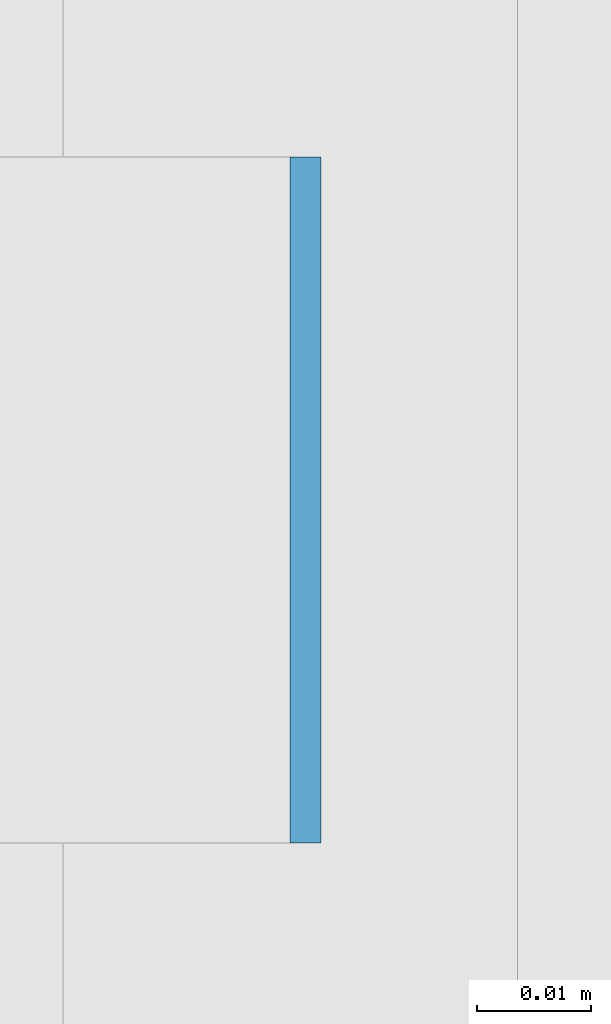
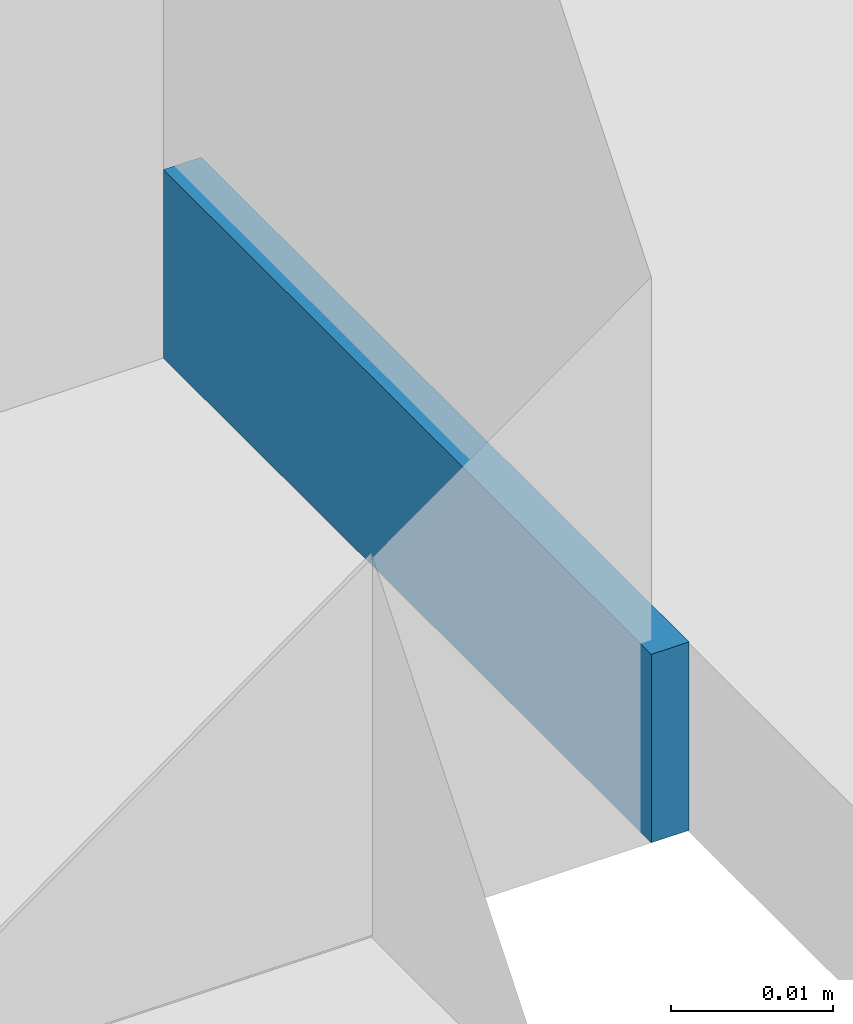
# One storey, part 272 of 646: 1 discrete accessory.
"""IFC4 building model written with IfcOpenShell, lengths in metres."""

from ifc_helpers import new_model, si_unit, direction, frame, origin, origin_2d, place, context, subcontext, project, spatial, rectangle, extrude, material, type_object, element, save


model = new_model("IFC4")

# Units and contexts
model_context = context("Model", 3, precision=1e-05, world=origin(), true_north=direction((0.0, 1.0)))
body_context = subcontext(model_context, "Body", "Model", "MODEL_VIEW")
ifc_project = project(units=[si_unit("LENGTHUNIT", "METRE"), si_unit("AREAUNIT", "SQUARE_METRE"), si_unit("VOLUMEUNIT", "CUBIC_METRE"), si_unit("PLANEANGLEUNIT", "RADIAN"), si_unit("MASSUNIT", "GRAM", prefix="KILO")], contexts=[model_context])

# Site, building, storey
site_placement = place(None, origin())
site = spatial("IfcSite", under=ifc_project, at=site_placement, CompositionType="ELEMENT")
building_placement = place(site_placement, origin())
building = spatial("IfcBuilding", under=site, at=building_placement, Name="Silverbay Arena", CompositionType="ELEMENT")
storey_placement = place(building_placement, frame((0.0, 0.0, 33.5)))
storey = spatial("IfcBuildingStorey", under=building, at=storey_placement, Name="L05", CompositionType="ELEMENT", Elevation=33.5)

# Discrete accessory
ifc_material = material(Name="Steel S355", Category="steel")
discrete_accessory_type = type_object("IfcDiscreteAccessoryType", Name="Steel bracket plate", PredefinedType="BRACKET", material=ifc_material)
discrete_accessory_placement = place(storey_placement, frame((53.871337890625, 46.28564453125, 4.0), z_axis=(0.0, 0.0, 1.0), x_axis=(1.0, 0.0, 0.0)))
element("IfcDiscreteAccessory", 1, at=discrete_accessory_placement, inside=storey, type_object=discrete_accessory_type, Name="Curtain wall packing plate", PredefinedType="BRACKET", context=body_context, shape_type="SweptSolid", body=[
    extrude(rectangle(XDim=0.002685546875, YDim=0.06005859375, at=origin_2d()), origin(), (0.0, 0.0, 1.0), 0.01416015625),
])

save(model, "model.ifc")
